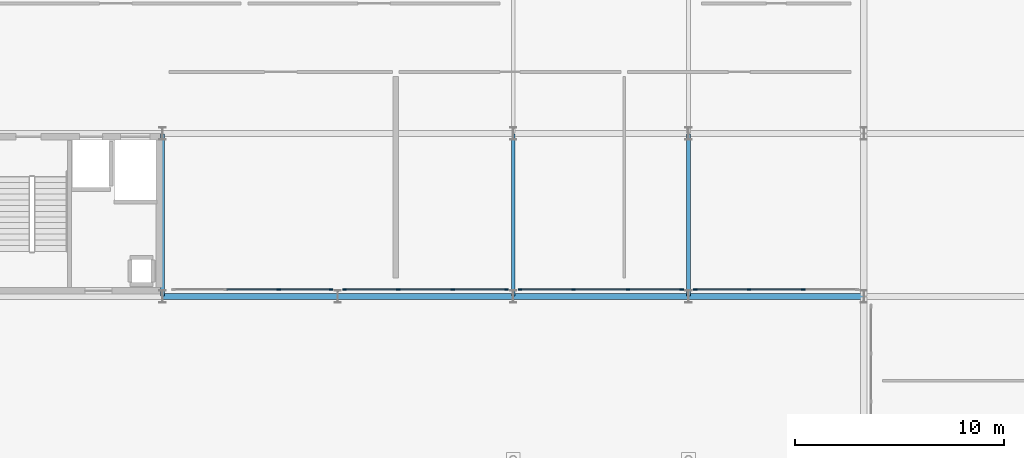
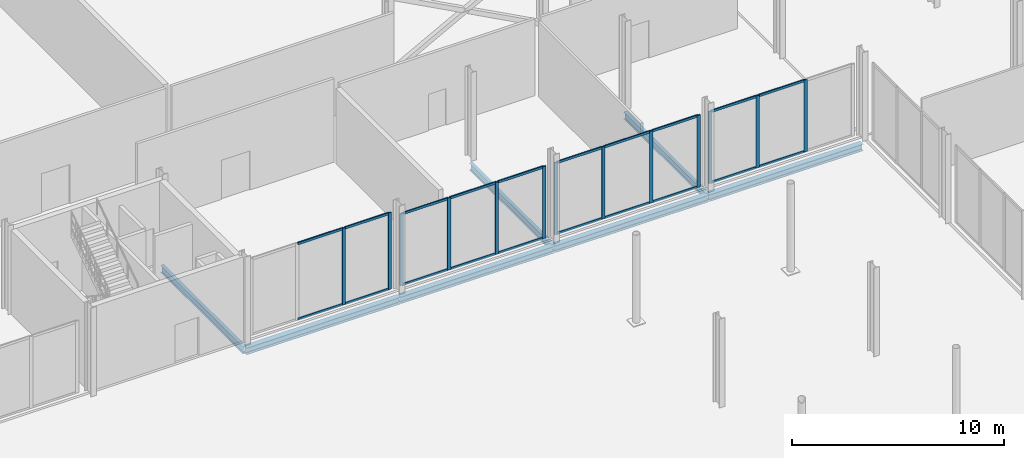
# One storey, part 32 of 80: 33 members, 7 beams, 4 elements without a shape of their own.
"""IFC4 building model written with IfcOpenShell, lengths in metres."""

import ifcopenshell
import ifcopenshell.guid

model = None  # the IFC model being written
_history = None  # IfcOwnerHistory: only IFC2X3 demands one
_inside = {}  # id of a spatial element -> (the spatial element, [elements in it])
_under = {}  # id of a project, library or spatial element -> (it, [spatial elements below it])
_declared = {}  # id of a project -> (the project, [libraries it declares])
_typed = {}  # id of a type object -> (the type object, [elements of that type])
_made_of = {}  # id of a material, layer set ... -> (it, [elements and type objects made of it])


def new_model(schema):
    """Start an empty IFC model of exactly this schema.

    Asked for "IFC4X3", IfcOpenShell would pick the latest addendum, in which some entities
    have other attributes; the version numbers below select the first issue.
    IFC2X3 requires an IfcOwnerHistory on every rooted entity: one is made here for all.
    """
    global model, _history
    if schema == "IFC4X3":
        model = ifcopenshell.file(schema_version=(4, 3, 0, 0))
    else:
        model = ifcopenshell.file(schema=schema)
    _inside.clear()
    _under.clear()
    _declared.clear()
    _typed.clear()
    _made_of.clear()
    _history = None
    if model.schema == "IFC2X3":
        org = make("IfcOrganization", Name="unknown")
        user = make(
            "IfcPersonAndOrganization",
            ThePerson=make("IfcPerson", FamilyName="unknown"),
            TheOrganization=org,
        )
        app = make(
            "IfcApplication",
            ApplicationDeveloper=org,
            Version="unknown",
            ApplicationFullName="unknown",
            ApplicationIdentifier="unknown",
        )
        _history = make(
            "IfcOwnerHistory",
            OwningUser=user,
            OwningApplication=app,
            ChangeAction="ADDED",
            CreationDate=0,
        )
    return model


def make(cls, **values):
    """One entity of the class cls with the attributes given. An attribute that is None is left unset."""
    return model.create_entity(
        cls, **{name: value for name, value in values.items() if value is not None}
    )


def rooted(cls, **values):
    """An entity with a GlobalId (a new one), such as an element, a storey or a relation."""
    return make(cls, GlobalId=ifcopenshell.guid.new(), OwnerHistory=_history, **values)


def si_unit(unit_type, name, prefix=None):
    """IfcSIUnit, for example si_unit("LENGTHUNIT", "METRE", prefix="MILLI")."""
    return make("IfcSIUnit", UnitType=unit_type, Prefix=prefix, Name=name)


def assignment(units):
    """IfcUnitAssignment: the units of a project."""
    return None if units is None else make("IfcUnitAssignment", Units=units)


def point(xyz):
    """IfcCartesianPoint."""
    return None if xyz is None else make("IfcCartesianPoint", Coordinates=xyz)


def direction(xyz):
    """IfcDirection."""
    return None if xyz is None else make("IfcDirection", DirectionRatios=xyz)


def frame(location, z_axis=None, x_axis=None):
    """IfcAxis2Placement3D, a coordinate frame: its origin and axes. An axis left out is left unset."""
    return make(
        "IfcAxis2Placement3D",
        Location=point(location),
        Axis=direction(z_axis),
        RefDirection=direction(x_axis),
    )


def frame_2d(location, x_axis=None):
    """IfcAxis2Placement2D, a coordinate frame in the plane: its origin and x axis."""
    return make(
        "IfcAxis2Placement2D", Location=point(location), RefDirection=direction(x_axis)
    )


def origin():
    """The frame at (0, 0, 0) with its axes left unset."""
    return frame((0.0, 0.0, 0.0))


def origin_2d():
    """The frame at (0, 0) in the plane with its x axis left unset."""
    return frame_2d((0.0, 0.0))


def place(relative_to, where):
    """IfcLocalPlacement: puts the frame where relative to a parent placement (None: the world)."""
    return make(
        "IfcLocalPlacement", PlacementRelTo=relative_to, RelativePlacement=where
    )


def context(
    kind, dimensions, precision=None, world=None, true_north=None, identifier=None
):
    """IfcGeometricRepresentationContext, for example the 3D "Model" context."""
    return make(
        "IfcGeometricRepresentationContext",
        ContextIdentifier=identifier,
        ContextType=kind,
        CoordinateSpaceDimension=dimensions,
        Precision=precision,
        WorldCoordinateSystem=world,
        TrueNorth=true_north,
    )


def subcontext(parent, identifier, kind, view, scale=None):
    """IfcGeometricRepresentationSubContext, for example "Body" below "Model"."""
    return make(
        "IfcGeometricRepresentationSubContext",
        ContextIdentifier=identifier,
        ContextType=kind,
        ParentContext=parent,
        TargetScale=scale,
        TargetView=view,
    )


def project(units=None, contexts=None):
    """IfcProject with its units and contexts."""
    return rooted(
        "IfcProject",
        Name="project",
        RepresentationContexts=contexts,
        UnitsInContext=assignment(units),
    )


def spatial(cls, under=None, at=None, **own):
    """A site, building, storey or space (cls), placed at a placement, below another one or the project."""
    s = rooted(cls, ObjectPlacement=at, **own)
    if under is not None:
        _under.setdefault(under.id(), (under, []))[1].append(s)
    return s


def profile(cls, at=None, kind="AREA", **sizes):
    """A parametric profile (cls). Its sizes go by their IFC names, for example OverallWidth=200.0."""
    return make(cls, ProfileType=kind, Position=at, **sizes)


def rectangle(**sizes):
    """IfcRectangleProfileDef."""
    return profile("IfcRectangleProfileDef", **sizes)


def i_section(**sizes):
    """IfcIShapeProfileDef."""
    return profile("IfcIShapeProfileDef", **sizes)


def extrude(swept, where, along, depth):
    """IfcExtrudedAreaSolid: the profile swept, set in the frame where, extruded along a direction by depth."""
    return make(
        "IfcExtrudedAreaSolid",
        SweptArea=swept,
        Position=where,
        ExtrudedDirection=direction(along),
        Depth=depth,
    )


def shape(context_of_items, identifier, shape_type, items):
    """IfcShapeRepresentation: the items that make up one representation, for example the "Body"."""
    return make(
        "IfcShapeRepresentation",
        ContextOfItems=context_of_items,
        RepresentationIdentifier=identifier,
        RepresentationType=shape_type,
        Items=items,
    )


def material(Name=None, Category=None):
    """IfcMaterial."""
    return make("IfcMaterial", Name=Name, Category=Category)


def material_profile(
    of_material, cross_section, Name=None, Category=None, Priority=None
):
    """IfcMaterialProfile: a cross section and its material."""
    return make(
        "IfcMaterialProfile",
        Name=Name,
        Material=of_material,
        Profile=cross_section,
        Priority=Priority,
        Category=Category,
    )


def profile_set(profiles, Name=None, composite=None):
    """IfcMaterialProfileSet."""
    return make(
        "IfcMaterialProfileSet",
        Name=Name,
        MaterialProfiles=profiles,
        CompositeProfile=composite,
    )


def made_of(thing, what):
    """Note that an element or type object is made of a material, layer set ...; save() writes the relation."""
    if what is not None:
        _made_of.setdefault(what.id(), (what, []))[1].append(thing)
    return thing


def type_object(cls, material=None, **own):
    """A type object (cls), such as IfcWallType, which elements share."""
    return made_of(rooted(cls, **own), material)


def element(
    cls,
    number,
    at=None,
    inside=None,
    cuts=None,
    type_object=None,
    material=None,
    context=None,
    identifier="Body",
    shape_type=None,
    held_by="IfcProductDefinitionShape",
    body=None,
    shapes=None,
    **own,
):
    """One element of the class cls, such as IfcWall. Its Tag is "e" and its number.

    at: its placement. inside: the storey or other place that contains it. cuts: it is an
    opening in that element (IfcRelVoidsElement). A single representation is given by context,
    identifier, shape_type and body (its items); several are given by shapes. held_by: the class
    of the entity that holds the representations. save() writes the other relations.
    """
    e = rooted(cls, Tag="e%d" % number, ObjectPlacement=at, **own)
    if body is not None:
        shapes = [shape(context, identifier, shape_type, body)]
    if shapes is not None:
        e.Representation = make(held_by, Representations=shapes)
    if inside is not None:
        _inside.setdefault(inside.id(), (inside, []))[1].append(e)
    if cuts is not None:
        rooted(
            "IfcRelVoidsElement", RelatingBuildingElement=cuts, RelatedOpeningElement=e
        )
    if type_object is not None:
        _typed.setdefault(type_object.id(), (type_object, []))[1].append(e)
    return made_of(e, material)


def aggregate(whole, parts):
    """IfcRelAggregates: a whole, such as a stair, and the parts it consists of."""
    return rooted("IfcRelAggregates", RelatingObject=whole, RelatedObjects=parts)


def save(model, path):
    """Write the relations noted so far, then the file.

    IfcRelAggregates (storeys below a building ...), IfcRelContainedInSpatialStructure (elements
    in a storey), IfcRelDefinesByType, IfcRelAssociatesMaterial and IfcRelDeclares: one each for
    every whole, place, type object, material and project.
    """
    for whole, parts in _under.values():
        aggregate(whole, parts)
    for where, things in _inside.values():
        rooted(
            "IfcRelContainedInSpatialStructure",
            RelatedElements=things,
            RelatingStructure=where,
        )
    for kind, things in _typed.values():
        rooted("IfcRelDefinesByType", RelatedObjects=things, RelatingType=kind)
    for what, things in _made_of.values():
        rooted("IfcRelAssociatesMaterial", RelatedObjects=things, RelatingMaterial=what)
    for by, libraries in _declared.values():
        rooted("IfcRelDeclares", RelatingContext=by, RelatedDefinitions=libraries)
    model.write(path)


model = new_model("IFC4")

# Units and contexts
model_context = context("Model", 3, precision=1e-05, world=origin(), true_north=direction((0.0, 1.0)))
body_context = subcontext(model_context, "Body", "Model", "MODEL_VIEW")
ifc_project = project(units=[si_unit("LENGTHUNIT", "METRE"), si_unit("AREAUNIT", "SQUARE_METRE"), si_unit("VOLUMEUNIT", "CUBIC_METRE"), si_unit("PLANEANGLEUNIT", "RADIAN"), si_unit("MASSUNIT", "GRAM", prefix="KILO")], contexts=[model_context])

# Site, building, storey
site_placement = place(None, origin())
site = spatial("IfcSite", under=ifc_project, at=site_placement, CompositionType="ELEMENT")
building_placement = place(site_placement, origin())
building = spatial("IfcBuilding", under=site, at=building_placement, Name="Nabrawat Pavilion Hospital", CompositionType="ELEMENT")
storey_placement = place(building_placement, origin())
storey = spatial("IfcBuildingStorey", under=building, at=storey_placement, Name="L00", CompositionType="ELEMENT", Elevation=0.0)

# Curtain wall, members
ifc_material_1 = material(Name="Anodised Aluminium", Category="aluminium")
curtain_wall_type = type_object("IfcCurtainWallType", Name="Healing Garden Cloister Curtain Wall", PredefinedType="USERDEFINED", material=ifc_material_1)
curtain_wall_1_placement = place(storey_placement, origin())
curtain_wall_1 = element("IfcCurtainWall", 1, at=curtain_wall_1_placement, inside=storey, type_object=curtain_wall_type, Name="L00 Healing Garden Cloister Curtain Wall 020", ObjectType="CURTAIN WALL", PredefinedType="USERDEFINED")
ifc_material_profile_1 = material_profile(ifc_material_1, rectangle(XDim=0.06494140625, YDim=0.179931640625, at=origin_2d()), Name="CWM 65x180")
ifc_profile_set_1 = profile_set([ifc_material_profile_1], Name="Anodised Aluminium")
member_type_1 = type_object("IfcMemberType", Name="Healing Garden Cloister Curtain Wall Mullion CWM 65x180", PredefinedType="MULLION", material=ifc_profile_set_1)
member_1_placement = place(storey_placement, frame((97.973388671875, 86.139892578125, 0.0), z_axis=(0.0, 0.0, 1.0), x_axis=(0.0, 1.0, 0.0)))
member_1 = element("IfcMember", 2, at=member_1_placement, type_object=member_type_1, Name="CW-CLN-01 mullion 3", PredefinedType="MULLION", context=body_context, shape_type="SweptSolid", body=[
    extrude(rectangle(XDim=0.06494140625, YDim=0.179931640625, at=origin_2d()), origin(), (0.0, 0.0, 1.0), 4.409912109375),
])
member_2_placement = place(storey_placement, frame((100.4775390625, 86.139892578125, 0.0), z_axis=(0.0, 0.0, 1.0), x_axis=(0.0, 1.0, 0.0)))
member_2 = element("IfcMember", 3, at=member_2_placement, type_object=member_type_1, Name="CW-CLN-01 mullion 4", PredefinedType="MULLION", context=body_context, shape_type="SweptSolid", body=[
    extrude(rectangle(XDim=0.06494140625, YDim=0.179931640625, at=origin_2d()), origin(), (0.0, 0.0, 1.0), 4.409912109375),
])

curtain_wall_2_placement = place(storey_placement, origin())
curtain_wall_2 = element("IfcCurtainWall", 4, at=curtain_wall_2_placement, inside=storey, type_object=curtain_wall_type, Name="L00 Healing Garden Cloister Curtain Wall 021", ObjectType="CURTAIN WALL", PredefinedType="USERDEFINED")
member_3_placement = place(storey_placement, frame((101.12255859375, 86.139892578125, 0.0), z_axis=(0.0, 0.0, 1.0), x_axis=(0.0, 1.0, 0.0)))
member_3 = element("IfcMember", 5, at=member_3_placement, type_object=member_type_1, Name="CW-CLN-01 mullion 1", PredefinedType="MULLION", context=body_context, shape_type="SweptSolid", body=[
    extrude(rectangle(XDim=0.06494140625, YDim=0.179931640625, at=origin_2d()), origin(), (0.0, 0.0, 1.0), 4.139892578125),
])
member_4_placement = place(storey_placement, frame((103.69677734375, 86.139892578125, 0.0), z_axis=(0.0, 0.0, 1.0), x_axis=(0.0, 1.0, 0.0)))
member_4 = element("IfcMember", 6, at=member_4_placement, type_object=member_type_1, Name="CW-CLN-01 mullion 2", PredefinedType="MULLION", context=body_context, shape_type="SweptSolid", body=[
    extrude(rectangle(XDim=0.06494140625, YDim=0.179931640625, at=origin_2d()), origin(), (0.0, 0.0, 1.0), 4.139892578125),
])
member_5_placement = place(storey_placement, frame((106.30322265625, 86.139892578125, 0.0), z_axis=(0.0, 0.0, 1.0), x_axis=(0.0, 1.0, 0.0)))
member_5 = element("IfcMember", 7, at=member_5_placement, type_object=member_type_1, Name="CW-CLN-01 mullion 3", PredefinedType="MULLION", context=body_context, shape_type="SweptSolid", body=[
    extrude(rectangle(XDim=0.06494140625, YDim=0.179931640625, at=origin_2d()), origin(), (0.0, 0.0, 1.0), 4.139892578125),
])
member_6_placement = place(storey_placement, frame((108.87744140625, 86.139892578125, 0.0), z_axis=(0.0, 0.0, 1.0), x_axis=(0.0, 1.0, 0.0)))
member_6 = element("IfcMember", 8, at=member_6_placement, type_object=member_type_1, Name="CW-CLN-01 mullion 4", PredefinedType="MULLION", context=body_context, shape_type="SweptSolid", body=[
    extrude(rectangle(XDim=0.06494140625, YDim=0.179931640625, at=origin_2d()), origin(), (0.0, 0.0, 1.0), 4.139892578125),
])

curtain_wall_3_placement = place(storey_placement, origin())
curtain_wall_3 = element("IfcCurtainWall", 9, at=curtain_wall_3_placement, inside=storey, type_object=curtain_wall_type, Name="L00 Healing Garden Cloister Curtain Wall 022", ObjectType="CURTAIN WALL", PredefinedType="USERDEFINED")
member_7_placement = place(storey_placement, frame((109.5224609375, 86.139892578125, 0.0), z_axis=(0.0, 0.0, 1.0), x_axis=(0.0, 1.0, 0.0)))
member_7 = element("IfcMember", 10, at=member_7_placement, type_object=member_type_1, Name="CW-CLN-01 mullion 1", PredefinedType="MULLION", context=body_context, shape_type="SweptSolid", body=[
    extrude(rectangle(XDim=0.06494140625, YDim=0.179931640625, at=origin_2d()), origin(), (0.0, 0.0, 1.0), 4.139892578125),
])
member_8_placement = place(storey_placement, frame((112.0966796875, 86.139892578125, 0.0), z_axis=(0.0, 0.0, 1.0), x_axis=(0.0, 1.0, 0.0)))
member_8 = element("IfcMember", 11, at=member_8_placement, type_object=member_type_1, Name="CW-CLN-01 mullion 2", PredefinedType="MULLION", context=body_context, shape_type="SweptSolid", body=[
    extrude(rectangle(XDim=0.06494140625, YDim=0.179931640625, at=origin_2d()), origin(), (0.0, 0.0, 1.0), 4.139892578125),
])
member_9_placement = place(storey_placement, frame((114.703369140625, 86.139892578125, 0.0), z_axis=(0.0, 0.0, 1.0), x_axis=(0.0, 1.0, 0.0)))
member_9 = element("IfcMember", 12, at=member_9_placement, type_object=member_type_1, Name="CW-CLN-01 mullion 3", PredefinedType="MULLION", context=body_context, shape_type="SweptSolid", body=[
    extrude(rectangle(XDim=0.06494140625, YDim=0.179931640625, at=origin_2d()), origin(), (0.0, 0.0, 1.0), 4.139892578125),
])
member_10_placement = place(storey_placement, frame((117.277587890625, 86.139892578125, 0.0), z_axis=(0.0, 0.0, 1.0), x_axis=(0.0, 1.0, 0.0)))
member_10 = element("IfcMember", 13, at=member_10_placement, type_object=member_type_1, Name="CW-CLN-01 mullion 4", PredefinedType="MULLION", context=body_context, shape_type="SweptSolid", body=[
    extrude(rectangle(XDim=0.06494140625, YDim=0.179931640625, at=origin_2d()), origin(), (0.0, 0.0, 1.0), 4.139892578125),
])

curtain_wall_4_placement = place(storey_placement, origin())
curtain_wall_4 = element("IfcCurtainWall", 14, at=curtain_wall_4_placement, inside=storey, type_object=curtain_wall_type, Name="L00 Healing Garden Cloister Curtain Wall 023", ObjectType="CURTAIN WALL", PredefinedType="USERDEFINED")
member_11_placement = place(storey_placement, frame((117.922607421875, 86.139892578125, 0.0), z_axis=(0.0, 0.0, 1.0), x_axis=(0.0, 1.0, 0.0)))
member_11 = element("IfcMember", 15, at=member_11_placement, type_object=member_type_1, Name="CW-CLN-01 mullion 1", PredefinedType="MULLION", context=body_context, shape_type="SweptSolid", body=[
    extrude(rectangle(XDim=0.06494140625, YDim=0.179931640625, at=origin_2d()), origin(), (0.0, 0.0, 1.0), 4.139892578125),
])
member_12_placement = place(storey_placement, frame((120.49658203125, 86.139892578125, 0.0), z_axis=(0.0, 0.0, 1.0), x_axis=(0.0, 1.0, 0.0)))
member_12 = element("IfcMember", 16, at=member_12_placement, type_object=member_type_1, Name="CW-CLN-01 mullion 2", PredefinedType="MULLION", context=body_context, shape_type="SweptSolid", body=[
    extrude(rectangle(XDim=0.06494140625, YDim=0.179931640625, at=origin_2d()), origin(), (0.0, 0.0, 1.0), 4.139892578125),
])
member_13_placement = place(storey_placement, frame((123.103271484375, 86.139892578125, 0.0), z_axis=(0.0, 0.0, 1.0), x_axis=(0.0, 1.0, 0.0)))
member_13 = element("IfcMember", 17, at=member_13_placement, type_object=member_type_1, Name="CW-CLN-01 mullion 3", PredefinedType="MULLION", context=body_context, shape_type="SweptSolid", body=[
    extrude(rectangle(XDim=0.06494140625, YDim=0.179931640625, at=origin_2d()), origin(), (0.0, 0.0, 1.0), 4.139892578125),
])

# Member
ifc_material_profile_2 = material_profile(ifc_material_1, rectangle(XDim=0.06494140625, YDim=0.135009765625, at=origin_2d()), Name="CWT 65x135")
ifc_profile_set_2 = profile_set([ifc_material_profile_2], Name="Anodised Aluminium")
member_type_2 = type_object("IfcMemberType", Name="Healing Garden Cloister Curtain Wall Transom CWT 65x135", PredefinedType="USERDEFINED", material=ifc_profile_set_2)
member_14_placement = place(storey_placement, frame((95.46923828125, 86.139892578125, 0.032470703125), z_axis=(1.0, 0.0, 0.0), x_axis=(0.0, 1.0, 0.0)))
member_14 = element("IfcMember", 18, at=member_14_placement, type_object=member_type_2, Name="CW-CLN-01 transom 2.1", ObjectType="TRANSOM", PredefinedType="USERDEFINED", context=body_context, shape_type="SweptSolid", body=[
    extrude(rectangle(XDim=0.06494140625, YDim=0.135009765625, at=origin_2d()), origin(), (0.0, 0.0, 1.0), 2.4716796875),
])

member_15_placement = place(storey_placement, frame((95.46923828125, 86.139892578125, 4.37744140625), z_axis=(1.0, 0.0, 0.0), x_axis=(0.0, 1.0, 0.0)))
member_15 = element("IfcMember", 19, at=member_15_placement, type_object=member_type_2, Name="CW-CLN-01 transom 2.2", ObjectType="TRANSOM", PredefinedType="USERDEFINED", context=body_context, shape_type="SweptSolid", body=[
    extrude(rectangle(XDim=0.06494140625, YDim=0.135009765625, at=origin_2d()), origin(), (0.0, 0.0, 1.0), 2.4716796875),
])

member_16_placement = place(storey_placement, frame((98.005859375, 86.139892578125, 0.032470703125), z_axis=(1.0, 0.0, 0.0), x_axis=(0.0, 1.0, 0.0)))
member_16 = element("IfcMember", 20, at=member_16_placement, type_object=member_type_2, Name="CW-CLN-01 transom 3.1", ObjectType="TRANSOM", PredefinedType="USERDEFINED", context=body_context, shape_type="SweptSolid", body=[
    extrude(rectangle(XDim=0.06494140625, YDim=0.135009765625, at=origin_2d()), origin(), (0.0, 0.0, 1.0), 2.439208984375),
])

member_17_placement = place(storey_placement, frame((98.005859375, 86.139892578125, 4.37744140625), z_axis=(1.0, 0.0, 0.0), x_axis=(0.0, 1.0, 0.0)))
member_17 = element("IfcMember", 21, at=member_17_placement, type_object=member_type_2, Name="CW-CLN-01 transom 3.2", ObjectType="TRANSOM", PredefinedType="USERDEFINED", context=body_context, shape_type="SweptSolid", body=[
    extrude(rectangle(XDim=0.06494140625, YDim=0.135009765625, at=origin_2d()), origin(), (0.0, 0.0, 1.0), 2.439208984375),
])

aggregate(curtain_wall_1, [member_1, member_2, member_14, member_15, member_16, member_17])

member_18_placement = place(storey_placement, frame((101.155029296875, 86.139892578125, 0.032470703125), z_axis=(1.0, 0.0, 0.0), x_axis=(0.0, 1.0, 0.0)))
member_18 = element("IfcMember", 22, at=member_18_placement, type_object=member_type_2, Name="CW-CLN-01 transom 1.1", ObjectType="TRANSOM", PredefinedType="USERDEFINED", context=body_context, shape_type="SweptSolid", body=[
    extrude(rectangle(XDim=0.06494140625, YDim=0.135009765625, at=origin_2d()), origin(), (0.0, 0.0, 1.0), 2.509033203125),
])

member_19_placement = place(storey_placement, frame((101.155029296875, 86.139892578125, 4.107421875), z_axis=(1.0, 0.0, 0.0), x_axis=(0.0, 1.0, 0.0)))
member_19 = element("IfcMember", 23, at=member_19_placement, type_object=member_type_2, Name="CW-CLN-01 transom 1.2", ObjectType="TRANSOM", PredefinedType="USERDEFINED", context=body_context, shape_type="SweptSolid", body=[
    extrude(rectangle(XDim=0.06494140625, YDim=0.135009765625, at=origin_2d()), origin(), (0.0, 0.0, 1.0), 2.509033203125),
])

member_20_placement = place(storey_placement, frame((103.729248046875, 86.139892578125, 0.032470703125), z_axis=(1.0, 0.0, 0.0), x_axis=(0.0, 1.0, 0.0)))
member_20 = element("IfcMember", 24, at=member_20_placement, type_object=member_type_2, Name="CW-CLN-01 transom 2.1", ObjectType="TRANSOM", PredefinedType="USERDEFINED", context=body_context, shape_type="SweptSolid", body=[
    extrude(rectangle(XDim=0.06494140625, YDim=0.135009765625, at=origin_2d()), origin(), (0.0, 0.0, 1.0), 2.54150390625),
])

member_21_placement = place(storey_placement, frame((103.729248046875, 86.139892578125, 4.107421875), z_axis=(1.0, 0.0, 0.0), x_axis=(0.0, 1.0, 0.0)))
member_21 = element("IfcMember", 25, at=member_21_placement, type_object=member_type_2, Name="CW-CLN-01 transom 2.2", ObjectType="TRANSOM", PredefinedType="USERDEFINED", context=body_context, shape_type="SweptSolid", body=[
    extrude(rectangle(XDim=0.06494140625, YDim=0.135009765625, at=origin_2d()), origin(), (0.0, 0.0, 1.0), 2.54150390625),
])

member_22_placement = place(storey_placement, frame((106.3359375, 86.139892578125, 0.032470703125), z_axis=(1.0, 0.0, 0.0), x_axis=(0.0, 1.0, 0.0)))
member_22 = element("IfcMember", 26, at=member_22_placement, type_object=member_type_2, Name="CW-CLN-01 transom 3.1", ObjectType="TRANSOM", PredefinedType="USERDEFINED", context=body_context, shape_type="SweptSolid", body=[
    extrude(rectangle(XDim=0.06494140625, YDim=0.135009765625, at=origin_2d()), origin(), (0.0, 0.0, 1.0), 2.509033203125),
])

member_23_placement = place(storey_placement, frame((106.3359375, 86.139892578125, 4.107421875), z_axis=(1.0, 0.0, 0.0), x_axis=(0.0, 1.0, 0.0)))
member_23 = element("IfcMember", 27, at=member_23_placement, type_object=member_type_2, Name="CW-CLN-01 transom 3.2", ObjectType="TRANSOM", PredefinedType="USERDEFINED", context=body_context, shape_type="SweptSolid", body=[
    extrude(rectangle(XDim=0.06494140625, YDim=0.135009765625, at=origin_2d()), origin(), (0.0, 0.0, 1.0), 2.509033203125),
])

aggregate(curtain_wall_2, [member_3, member_4, member_5, member_6, member_18, member_19, member_20, member_21, member_22, member_23])

member_24_placement = place(storey_placement, frame((109.554931640625, 86.139892578125, 0.032470703125), z_axis=(1.0, 0.0, 0.0), x_axis=(0.0, 1.0, 0.0)))
member_24 = element("IfcMember", 28, at=member_24_placement, type_object=member_type_2, Name="CW-CLN-01 transom 1.1", ObjectType="TRANSOM", PredefinedType="USERDEFINED", context=body_context, shape_type="SweptSolid", body=[
    extrude(rectangle(XDim=0.06494140625, YDim=0.135009765625, at=origin_2d()), origin(), (0.0, 0.0, 1.0), 2.50927734375),
])

member_25_placement = place(storey_placement, frame((109.554931640625, 86.139892578125, 4.107421875), z_axis=(1.0, 0.0, 0.0), x_axis=(0.0, 1.0, 0.0)))
member_25 = element("IfcMember", 29, at=member_25_placement, type_object=member_type_2, Name="CW-CLN-01 transom 1.2", ObjectType="TRANSOM", PredefinedType="USERDEFINED", context=body_context, shape_type="SweptSolid", body=[
    extrude(rectangle(XDim=0.06494140625, YDim=0.135009765625, at=origin_2d()), origin(), (0.0, 0.0, 1.0), 2.50927734375),
])

member_26_placement = place(storey_placement, frame((112.129150390625, 86.139892578125, 0.032470703125), z_axis=(1.0, 0.0, 0.0), x_axis=(0.0, 1.0, 0.0)))
member_26 = element("IfcMember", 30, at=member_26_placement, type_object=member_type_2, Name="CW-CLN-01 transom 2.1", ObjectType="TRANSOM", PredefinedType="USERDEFINED", context=body_context, shape_type="SweptSolid", body=[
    extrude(rectangle(XDim=0.06494140625, YDim=0.135009765625, at=origin_2d()), origin(), (0.0, 0.0, 1.0), 2.541748046875),
])

member_27_placement = place(storey_placement, frame((112.129150390625, 86.139892578125, 4.107421875), z_axis=(1.0, 0.0, 0.0), x_axis=(0.0, 1.0, 0.0)))
member_27 = element("IfcMember", 31, at=member_27_placement, type_object=member_type_2, Name="CW-CLN-01 transom 2.2", ObjectType="TRANSOM", PredefinedType="USERDEFINED", context=body_context, shape_type="SweptSolid", body=[
    extrude(rectangle(XDim=0.06494140625, YDim=0.135009765625, at=origin_2d()), origin(), (0.0, 0.0, 1.0), 2.541748046875),
])

member_28_placement = place(storey_placement, frame((114.73583984375, 86.139892578125, 0.032470703125), z_axis=(1.0, 0.0, 0.0), x_axis=(0.0, 1.0, 0.0)))
member_28 = element("IfcMember", 32, at=member_28_placement, type_object=member_type_2, Name="CW-CLN-01 transom 3.1", ObjectType="TRANSOM", PredefinedType="USERDEFINED", context=body_context, shape_type="SweptSolid", body=[
    extrude(rectangle(XDim=0.06494140625, YDim=0.135009765625, at=origin_2d()), origin(), (0.0, 0.0, 1.0), 2.50927734375),
])

member_29_placement = place(storey_placement, frame((114.73583984375, 86.139892578125, 4.107421875), z_axis=(1.0, 0.0, 0.0), x_axis=(0.0, 1.0, 0.0)))
member_29 = element("IfcMember", 33, at=member_29_placement, type_object=member_type_2, Name="CW-CLN-01 transom 3.2", ObjectType="TRANSOM", PredefinedType="USERDEFINED", context=body_context, shape_type="SweptSolid", body=[
    extrude(rectangle(XDim=0.06494140625, YDim=0.135009765625, at=origin_2d()), origin(), (0.0, 0.0, 1.0), 2.50927734375),
])

aggregate(curtain_wall_3, [member_7, member_8, member_9, member_10, member_24, member_25, member_26, member_27, member_28, member_29])

member_30_placement = place(storey_placement, frame((117.955078125, 86.139892578125, 0.032470703125), z_axis=(1.0, 0.0, 0.0), x_axis=(0.0, 1.0, 0.0)))
member_30 = element("IfcMember", 34, at=member_30_placement, type_object=member_type_2, Name="CW-CLN-01 transom 1.1", ObjectType="TRANSOM", PredefinedType="USERDEFINED", context=body_context, shape_type="SweptSolid", body=[
    extrude(rectangle(XDim=0.06494140625, YDim=0.135009765625, at=origin_2d()), origin(), (0.0, 0.0, 1.0), 2.509033203125),
])

member_31_placement = place(storey_placement, frame((117.955078125, 86.139892578125, 4.107421875), z_axis=(1.0, 0.0, 0.0), x_axis=(0.0, 1.0, 0.0)))
member_31 = element("IfcMember", 35, at=member_31_placement, type_object=member_type_2, Name="CW-CLN-01 transom 1.2", ObjectType="TRANSOM", PredefinedType="USERDEFINED", context=body_context, shape_type="SweptSolid", body=[
    extrude(rectangle(XDim=0.06494140625, YDim=0.135009765625, at=origin_2d()), origin(), (0.0, 0.0, 1.0), 2.509033203125),
])

member_32_placement = place(storey_placement, frame((120.529052734375, 86.139892578125, 0.032470703125), z_axis=(1.0, 0.0, 0.0), x_axis=(0.0, 1.0, 0.0)))
member_32 = element("IfcMember", 36, at=member_32_placement, type_object=member_type_2, Name="CW-CLN-01 transom 2.1", ObjectType="TRANSOM", PredefinedType="USERDEFINED", context=body_context, shape_type="SweptSolid", body=[
    extrude(rectangle(XDim=0.06494140625, YDim=0.135009765625, at=origin_2d()), origin(), (0.0, 0.0, 1.0), 2.541748046875),
])

member_33_placement = place(storey_placement, frame((120.529052734375, 86.139892578125, 4.107421875), z_axis=(1.0, 0.0, 0.0), x_axis=(0.0, 1.0, 0.0)))
member_33 = element("IfcMember", 37, at=member_33_placement, type_object=member_type_2, Name="CW-CLN-01 transom 2.2", ObjectType="TRANSOM", PredefinedType="USERDEFINED", context=body_context, shape_type="SweptSolid", body=[
    extrude(rectangle(XDim=0.06494140625, YDim=0.135009765625, at=origin_2d()), origin(), (0.0, 0.0, 1.0), 2.541748046875),
])

aggregate(curtain_wall_4, [member_11, member_12, member_13, member_30, member_31, member_32, member_33])

# Beams
ifc_material_2 = material(Name="Steel S355", Category="steel")
ifc_material_profile_3 = material_profile(ifc_material_2, i_section(OverallWidth=0.300048828125, OverallDepth=0.389892578125, WebThickness=0.010986328125, FlangeThickness=0.01904296875, FilletRadius=0.027099609375, at=origin_2d()), Name="HEA 400")
ifc_profile_set_3 = profile_set([ifc_material_profile_3], Name="Steel S355")
beam_type_1 = type_object("IfcBeamType", Name="Perimeter Moment Spandrel Beam HEA 400", PredefinedType="SPANDREL", material=ifc_profile_set_3)
beam_1_placement = place(storey_placement, frame((92.419921875, 85.800048828125, -0.47509765625), z_axis=(1.0, 0.0, 0.0), x_axis=(0.0, 1.0, 0.0)))
element("IfcBeam", 38, at=beam_1_placement, inside=storey, type_object=beam_type_1, Name="L00 Primary X Girder 152", PredefinedType="SPANDREL", context=body_context, shape_type="SweptSolid", body=[
    extrude(i_section(OverallWidth=0.300048828125, OverallDepth=0.389892578125, WebThickness=0.010986328125, FlangeThickness=0.01904296875, FilletRadius=0.027099609375, at=origin_2d()), origin(), (0.0, 0.0, 1.0), 8.360107421875),
])
beam_2_placement = place(storey_placement, frame((100.820068359375, 85.800048828125, -0.47509765625), z_axis=(1.0, 0.0, 0.0), x_axis=(0.0, 1.0, 0.0)))
element("IfcBeam", 39, at=beam_2_placement, inside=storey, type_object=beam_type_1, Name="L00 Primary X Girder 153", PredefinedType="SPANDREL", context=body_context, shape_type="SweptSolid", body=[
    extrude(i_section(OverallWidth=0.300048828125, OverallDepth=0.389892578125, WebThickness=0.010986328125, FlangeThickness=0.01904296875, FilletRadius=0.027099609375, at=origin_2d()), origin(), (0.0, 0.0, 1.0), 8.35986328125),
])
beam_3_placement = place(storey_placement, frame((109.219970703125, 85.800048828125, -0.47509765625), z_axis=(1.0, 0.0, 0.0), x_axis=(0.0, 1.0, 0.0)))
element("IfcBeam", 40, at=beam_3_placement, inside=storey, type_object=beam_type_1, Name="L00 Primary X Girder 154", PredefinedType="SPANDREL", context=body_context, shape_type="SweptSolid", body=[
    extrude(i_section(OverallWidth=0.300048828125, OverallDepth=0.389892578125, WebThickness=0.010986328125, FlangeThickness=0.01904296875, FilletRadius=0.027099609375, at=origin_2d()), origin(), (0.0, 0.0, 1.0), 8.360107421875),
])
beam_4_placement = place(storey_placement, frame((117.6201171875, 85.800048828125, -0.47509765625), z_axis=(1.0, 0.0, 0.0), x_axis=(0.0, 1.0, 0.0)))
element("IfcBeam", 41, at=beam_4_placement, inside=storey, type_object=beam_type_1, Name="L00 Primary X Girder 155", PredefinedType="SPANDREL", context=body_context, shape_type="SweptSolid", body=[
    extrude(i_section(OverallWidth=0.300048828125, OverallDepth=0.389892578125, WebThickness=0.010986328125, FlangeThickness=0.01904296875, FilletRadius=0.027099609375, at=origin_2d()), origin(), (0.0, 0.0, 1.0), 8.35986328125),
])
ifc_material_profile_4 = material_profile(ifc_material_2, i_section(OverallWidth=0.179931640625, OverallDepth=0.39990234375, WebThickness=0.008544921875, FlangeThickness=0.013427734375, FilletRadius=0.02099609375, at=origin_2d()), Name="IPE 400")
ifc_profile_set_4 = profile_set([ifc_material_profile_4], Name="Steel S355")
beam_type_2 = type_object("IfcBeamType", Name="Standard Y Floor Beam IPE 400", PredefinedType="BEAM", material=ifc_profile_set_4)
for number, where, z_axis, x_axis, name in (
    (42, (92.39990234375, 85.820068359375, -0.47998046875), (0.0, 1.0, 0.0), (-1.0, 0.0, 0.0), "L00 Primary Y Beam 311"),
    (43, (109.199951171875, 85.820068359375, -0.47998046875), (0.0, 1.0, 0.0), (-1.0, 0.0, 0.0), "L00 Primary Y Beam 312"),
    (44, (117.60009765625, 85.820068359375, -0.47998046875), (0.0, 1.0, 0.0), (-1.0, 0.0, 0.0), "L00 Primary Y Beam 316"),
):
    element("IfcBeam", number, at=place(storey_placement, frame(where, z_axis=z_axis, x_axis=x_axis)), inside=storey, type_object=beam_type_2, Name=name, PredefinedType="BEAM", context=body_context, shape_type="SweptSolid", body=[
        extrude(i_section(OverallWidth=0.179931640625, OverallDepth=0.39990234375, WebThickness=0.008544921875, FlangeThickness=0.013427734375, FilletRadius=0.02099609375, at=origin_2d()), origin(), (0.0, 0.0, 1.0), 7.760009765625),
    ])

save(model, "model.ifc")
